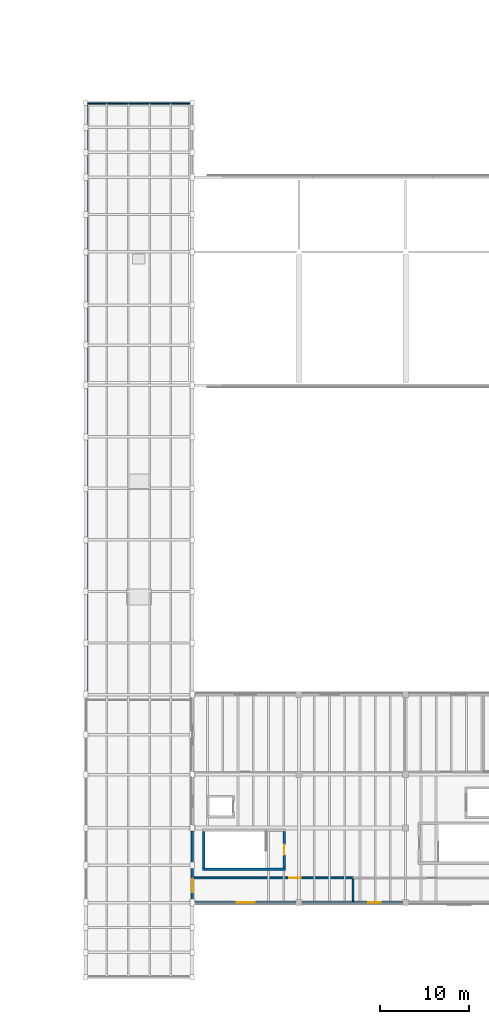
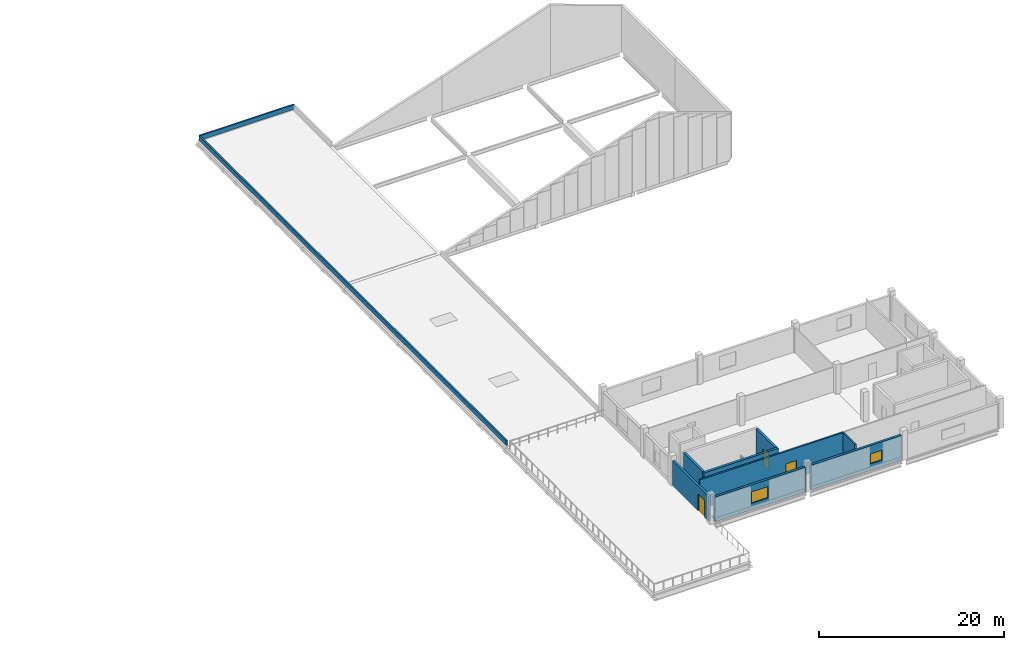
# One storey, part 10 of 19: 10 walls, 3 doors, 2 windows, 5 openings.
"""IFC4 building model written with IfcOpenShell, lengths in metres."""

import ifcopenshell
import ifcopenshell.guid

model = None  # the IFC model being written
_history = None  # IfcOwnerHistory: only IFC2X3 demands one
_inside = {}  # id of a spatial element -> (the spatial element, [elements in it])
_under = {}  # id of a project, library or spatial element -> (it, [spatial elements below it])
_declared = {}  # id of a project -> (the project, [libraries it declares])
_typed = {}  # id of a type object -> (the type object, [elements of that type])
_made_of = {}  # id of a material, layer set ... -> (it, [elements and type objects made of it])


def new_model(schema):
    """Start an empty IFC model of exactly this schema.

    Asked for "IFC4X3", IfcOpenShell would pick the latest addendum, in which some entities
    have other attributes; the version numbers below select the first issue.
    IFC2X3 requires an IfcOwnerHistory on every rooted entity: one is made here for all.
    """
    global model, _history
    if schema == "IFC4X3":
        model = ifcopenshell.file(schema_version=(4, 3, 0, 0))
    else:
        model = ifcopenshell.file(schema=schema)
    _inside.clear()
    _under.clear()
    _declared.clear()
    _typed.clear()
    _made_of.clear()
    _history = None
    if model.schema == "IFC2X3":
        org = make("IfcOrganization", Name="unknown")
        user = make(
            "IfcPersonAndOrganization",
            ThePerson=make("IfcPerson", FamilyName="unknown"),
            TheOrganization=org,
        )
        app = make(
            "IfcApplication",
            ApplicationDeveloper=org,
            Version="unknown",
            ApplicationFullName="unknown",
            ApplicationIdentifier="unknown",
        )
        _history = make(
            "IfcOwnerHistory",
            OwningUser=user,
            OwningApplication=app,
            ChangeAction="ADDED",
            CreationDate=0,
        )
    return model


def make(cls, **values):
    """One entity of the class cls with the attributes given. An attribute that is None is left unset."""
    return model.create_entity(
        cls, **{name: value for name, value in values.items() if value is not None}
    )


def rooted(cls, **values):
    """An entity with a GlobalId (a new one), such as an element, a storey or a relation."""
    return make(cls, GlobalId=ifcopenshell.guid.new(), OwnerHistory=_history, **values)


def si_unit(unit_type, name, prefix=None):
    """IfcSIUnit, for example si_unit("LENGTHUNIT", "METRE", prefix="MILLI")."""
    return make("IfcSIUnit", UnitType=unit_type, Prefix=prefix, Name=name)


def assignment(units):
    """IfcUnitAssignment: the units of a project."""
    return None if units is None else make("IfcUnitAssignment", Units=units)


def point(xyz):
    """IfcCartesianPoint."""
    return None if xyz is None else make("IfcCartesianPoint", Coordinates=xyz)


def direction(xyz):
    """IfcDirection."""
    return None if xyz is None else make("IfcDirection", DirectionRatios=xyz)


def frame(location, z_axis=None, x_axis=None):
    """IfcAxis2Placement3D, a coordinate frame: its origin and axes. An axis left out is left unset."""
    return make(
        "IfcAxis2Placement3D",
        Location=point(location),
        Axis=direction(z_axis),
        RefDirection=direction(x_axis),
    )


def frame_2d(location, x_axis=None):
    """IfcAxis2Placement2D, a coordinate frame in the plane: its origin and x axis."""
    return make(
        "IfcAxis2Placement2D", Location=point(location), RefDirection=direction(x_axis)
    )


def origin():
    """The frame at (0, 0, 0) with its axes left unset."""
    return frame((0.0, 0.0, 0.0))


def place(relative_to, where):
    """IfcLocalPlacement: puts the frame where relative to a parent placement (None: the world)."""
    return make(
        "IfcLocalPlacement", PlacementRelTo=relative_to, RelativePlacement=where
    )


def context(
    kind, dimensions, precision=None, world=None, true_north=None, identifier=None
):
    """IfcGeometricRepresentationContext, for example the 3D "Model" context."""
    return make(
        "IfcGeometricRepresentationContext",
        ContextIdentifier=identifier,
        ContextType=kind,
        CoordinateSpaceDimension=dimensions,
        Precision=precision,
        WorldCoordinateSystem=world,
        TrueNorth=true_north,
    )


def subcontext(parent, identifier, kind, view, scale=None):
    """IfcGeometricRepresentationSubContext, for example "Body" below "Model"."""
    return make(
        "IfcGeometricRepresentationSubContext",
        ContextIdentifier=identifier,
        ContextType=kind,
        ParentContext=parent,
        TargetScale=scale,
        TargetView=view,
    )


def project(units=None, contexts=None):
    """IfcProject with its units and contexts."""
    return rooted(
        "IfcProject",
        Name="project",
        RepresentationContexts=contexts,
        UnitsInContext=assignment(units),
    )


def spatial(cls, under=None, at=None, **own):
    """A site, building, storey or space (cls), placed at a placement, below another one or the project."""
    s = rooted(cls, ObjectPlacement=at, **own)
    if under is not None:
        _under.setdefault(under.id(), (under, []))[1].append(s)
    return s


def profile(cls, at=None, kind="AREA", **sizes):
    """A parametric profile (cls). Its sizes go by their IFC names, for example OverallWidth=200.0."""
    return make(cls, ProfileType=kind, Position=at, **sizes)


def rectangle(**sizes):
    """IfcRectangleProfileDef."""
    return profile("IfcRectangleProfileDef", **sizes)


def extrude(swept, where, along, depth):
    """IfcExtrudedAreaSolid: the profile swept, set in the frame where, extruded along a direction by depth."""
    return make(
        "IfcExtrudedAreaSolid",
        SweptArea=swept,
        Position=where,
        ExtrudedDirection=direction(along),
        Depth=depth,
    )


def shape(context_of_items, identifier, shape_type, items):
    """IfcShapeRepresentation: the items that make up one representation, for example the "Body"."""
    return make(
        "IfcShapeRepresentation",
        ContextOfItems=context_of_items,
        RepresentationIdentifier=identifier,
        RepresentationType=shape_type,
        Items=items,
    )


def material(Name=None, Category=None):
    """IfcMaterial."""
    return make("IfcMaterial", Name=Name, Category=Category)


def layer(
    of_material, thickness, ventilated=None, Name=None, Category=None, Priority=None
):
    """IfcMaterialLayer: one layer of a wall or slab, of a material (None: an air gap)."""
    return make(
        "IfcMaterialLayer",
        Material=of_material,
        LayerThickness=thickness,
        IsVentilated=ventilated,
        Name=Name,
        Category=Category,
        Priority=Priority,
    )


def layer_set(layers, Name=None):
    """IfcMaterialLayerSet."""
    return make("IfcMaterialLayerSet", MaterialLayers=layers, LayerSetName=Name)


def made_of(thing, what):
    """Note that an element or type object is made of a material, layer set ...; save() writes the relation."""
    if what is not None:
        _made_of.setdefault(what.id(), (what, []))[1].append(thing)
    return thing


def type_object(cls, material=None, **own):
    """A type object (cls), such as IfcWallType, which elements share."""
    return made_of(rooted(cls, **own), material)


def element(
    cls,
    number,
    at=None,
    inside=None,
    cuts=None,
    type_object=None,
    material=None,
    context=None,
    identifier="Body",
    shape_type=None,
    held_by="IfcProductDefinitionShape",
    body=None,
    shapes=None,
    **own,
):
    """One element of the class cls, such as IfcWall. Its Tag is "e" and its number.

    at: its placement. inside: the storey or other place that contains it. cuts: it is an
    opening in that element (IfcRelVoidsElement). A single representation is given by context,
    identifier, shape_type and body (its items); several are given by shapes. held_by: the class
    of the entity that holds the representations. save() writes the other relations.
    """
    e = rooted(cls, Tag="e%d" % number, ObjectPlacement=at, **own)
    if body is not None:
        shapes = [shape(context, identifier, shape_type, body)]
    if shapes is not None:
        e.Representation = make(held_by, Representations=shapes)
    if inside is not None:
        _inside.setdefault(inside.id(), (inside, []))[1].append(e)
    if cuts is not None:
        rooted(
            "IfcRelVoidsElement", RelatingBuildingElement=cuts, RelatedOpeningElement=e
        )
    if type_object is not None:
        _typed.setdefault(type_object.id(), (type_object, []))[1].append(e)
    return made_of(e, material)


def fill(opening, filler):
    """IfcRelFillsElement: the door or window that sits in an opening."""
    return rooted(
        "IfcRelFillsElement",
        RelatingOpeningElement=opening,
        RelatedBuildingElement=filler,
    )


def aggregate(whole, parts):
    """IfcRelAggregates: a whole, such as a stair, and the parts it consists of."""
    return rooted("IfcRelAggregates", RelatingObject=whole, RelatedObjects=parts)


def save(model, path):
    """Write the relations noted so far, then the file.

    IfcRelAggregates (storeys below a building ...), IfcRelContainedInSpatialStructure (elements
    in a storey), IfcRelDefinesByType, IfcRelAssociatesMaterial and IfcRelDeclares: one each for
    every whole, place, type object, material and project.
    """
    for whole, parts in _under.values():
        aggregate(whole, parts)
    for where, things in _inside.values():
        rooted(
            "IfcRelContainedInSpatialStructure",
            RelatedElements=things,
            RelatingStructure=where,
        )
    for kind, things in _typed.values():
        rooted("IfcRelDefinesByType", RelatedObjects=things, RelatingType=kind)
    for what, things in _made_of.values():
        rooted("IfcRelAssociatesMaterial", RelatedObjects=things, RelatingMaterial=what)
    for by, libraries in _declared.values():
        rooted("IfcRelDeclares", RelatingContext=by, RelatedDefinitions=libraries)
    model.write(path)


model = new_model("IFC4")

# Units and contexts
model_context = context("Model", 3, precision=1e-05, world=origin(), true_north=direction((0.0, 1.0)))
body_context = subcontext(model_context, "Body", "Model", "MODEL_VIEW")
ifc_project = project(units=[si_unit("LENGTHUNIT", "METRE"), si_unit("AREAUNIT", "SQUARE_METRE"), si_unit("VOLUMEUNIT", "CUBIC_METRE"), si_unit("PLANEANGLEUNIT", "RADIAN"), si_unit("MASSUNIT", "GRAM", prefix="KILO")], contexts=[model_context])

# Site, building, storey
site_placement = place(None, origin())
site = spatial("IfcSite", under=ifc_project, at=site_placement, CompositionType="ELEMENT")
building_placement = place(site_placement, origin())
building = spatial("IfcBuilding", under=site, at=building_placement, Name="Kelmvaro Bay Concert Hall", CompositionType="ELEMENT")
storey_placement = place(building_placement, frame((0.0, 0.0, 18.300048828125)))
storey = spatial("IfcBuildingStorey", under=building, at=storey_placement, Name="L04", CompositionType="ELEMENT", Elevation=18.300048828125)

# Walls
ifc_material_1 = material(Name="Precast Concrete C40/50", Category="concrete")
ifc_layer_1 = layer(ifc_material_1, 0.18994140625)
ifc_layer_set_1 = layer_set([ifc_layer_1], Name="Precast Concrete C40/50")
wall_type_1 = type_object("IfcWallType", Name="Canopy Edge Parapet Upstand 190", PredefinedType="PARAPET", material=ifc_layer_set_1)
wall_1_placement = place(storey_placement, frame((120.1201171875, 39.1201171875, 0.06005859375), z_axis=(0.0, 0.0, 1.0), x_axis=(0.0, 1.0, 0.0)))
element("IfcWall", 1, at=wall_1_placement, inside=storey, type_object=wall_type_1, Name="L04 Roof Parapet 11", PredefinedType="PARAPET", context=body_context, shape_type="SweptSolid", body=[
    extrude(rectangle(XDim=66.35986328125, YDim=0.18994140625, at=frame_2d((33.179931640625, 0.0))), origin(), (0.0, 0.0, 1.0), 0.599853515625),
])
wall_2_placement = place(storey_placement, frame((120.1201171875, 105.47998046875, 0.06005859375), z_axis=(0.0, 0.0, 1.0), x_axis=(1.0, 0.0, 0.0)))
element("IfcWall", 2, at=wall_2_placement, inside=storey, type_object=wall_type_1, Name="L04 Roof Parapet 12", PredefinedType="PARAPET", context=body_context, shape_type="SweptSolid", body=[
    extrude(rectangle(XDim=11.759765625, YDim=0.18994140625, at=frame_2d((5.8798828125, 0.0))), origin(), (0.0, 0.0, 1.0), 0.599853515625),
])

# Wall, opening, door
ifc_material_2 = material(Name="Acoustic Gypsum Board on Galvanised Steel Studs", Category="steel")
ifc_layer_2 = layer(ifc_material_2, 0.199951171875)
ifc_layer_set_2 = layer_set([ifc_layer_2], Name="Acoustic Gypsum Board on Galvanised Steel Studs")
wall_type_2 = type_object("IfcWallType", Name="Double-Stud Acoustic Studio Partition 200", PredefinedType="PARTITIONING", material=ifc_layer_set_2)
wall_3_placement = place(storey_placement, frame((132.14990234375, 18.3798828125, 0.0), z_axis=(0.0, 0.0, 1.0), x_axis=(1.0, 0.0, 0.0)))
wall_3 = element("IfcWall", 3, at=wall_3_placement, inside=storey, type_object=wall_type_2, Name="L04 Interior Partition PT-L04-0348", PredefinedType="PARTITIONING", context=body_context, shape_type="SweptSolid", body=[
    extrude(rectangle(XDim=17.93505859375, YDim=0.199951171875, at=frame_2d((8.967529296875, 0.0))), origin(), (0.0, 0.0, 1.0), 3.89990234375),
])
opening_1_placement = place(wall_3_placement, frame((10.748779296875, 0.0, 0.0)))
opening_1 = element("IfcOpeningElement", 4, at=opening_1_placement, cuts=wall_3, Name="Opening ID-ST3", PredefinedType="OPENING", context=body_context, shape_type="SweptSolid", body=[
    extrude(rectangle(XDim=1.280029296875, YDim=2.260009765625, at=frame_2d((0.64013671875, 1.1298828125))), frame((0.0, 0.10986328125, 0.0), z_axis=(0.0, -1.0, 0.0), x_axis=(1.0, 0.0, 0.0)), (0.0, 0.0, 1.0), 0.219970703125),
])
ifc_material_3 = material(Name="Acoustic Laminated Steel Core", Category="steel")
door_type_1 = type_object("IfcDoorType", Name="Soundtrack Studio Heavy Door 1280x2260", OperationType="NOTDEFINED", PredefinedType="DOOR", material=ifc_material_3)
door_1_placement = place(opening_1_placement, origin())
door_1 = element("IfcDoor", 5, at=door_1_placement, inside=storey, type_object=door_type_1, Name="L04 Interior Door DR-INT-L04-0202", OperationType="SINGLE_SWING_RIGHT", OverallHeight=2.260009765625, OverallWidth=1.280029296875, PredefinedType="DOOR", context=body_context, shape_type="SweptSolid", body=[
    extrude(rectangle(XDim=1.280029296875, YDim=2.260009765625, at=frame_2d((0.64013671875, 1.1298828125))), frame((0.0, 0.02490234375, 0.0), z_axis=(0.0, -1.0, 0.0), x_axis=(1.0, 0.0, 0.0)), (0.0, 0.0, 1.0), 0.050048828125),
])
fill(opening_1, door_1)

# Wall
wall_4_placement = place(storey_placement, frame((150.080078125, 15.75, 0.0), z_axis=(0.0, 0.0, 1.0), x_axis=(0.0, 1.0, 0.0)))
element("IfcWall", 6, at=wall_4_placement, inside=storey, type_object=wall_type_2, Name="L04 Interior Partition PT-L04-0354", PredefinedType="PARTITIONING", context=body_context, shape_type="SweptSolid", body=[
    extrude(rectangle(XDim=2.52001953125, YDim=0.199951171875, at=frame_2d((1.260009765625, 0.0))), origin(), (0.0, 0.0, 1.0), 3.89990234375),
])

# Wall, opening, window
ifc_material_4 = material(Name="Precast Concrete C40/50", Category="concrete")
ifc_layer_3 = layer(ifc_material_4, 0.280029296875)
ifc_layer_set_3 = layer_set([ifc_layer_3], Name="Precast Concrete C40/50")
wall_type_3 = type_object("IfcWallType", Name="Percussion Pavilion Precast Wall 280", PredefinedType="SOLIDWALL", material=ifc_layer_set_3)
wall_5_placement = place(storey_placement, frame((143.675048828125, 15.60009765625, 0.0), z_axis=(0.0, 0.0, 1.0), x_axis=(-1.0, 0.0, 0.0)))
wall_5 = element("IfcWall", 7, at=wall_5_placement, inside=storey, type_object=wall_type_3, Name="L04 Exterior Wall EW-L04-0241", PredefinedType="SOLIDWALL", context=body_context, shape_type="SweptSolid", body=[
    extrude(rectangle(XDim=11.35009765625, YDim=0.280029296875, at=frame_2d((5.675048828125, 0.0))), origin(), (0.0, 0.0, 1.0), 3.26904296875),
])
opening_2_placement = place(wall_5_placement, frame((4.64990234375, 0.0, 0.85009765625)))
opening_2 = element("IfcOpeningElement", 8, at=opening_2_placement, cuts=wall_5, Name="Opening WN-25", PredefinedType="OPENING", context=body_context, shape_type="SweptSolid", body=[
    extrude(rectangle(XDim=2.050048828125, YDim=1.5, at=frame_2d((1.02490234375, 0.75))), frame((0.0, 0.14990234375, 0.0), z_axis=(0.0, -1.0, 0.0), x_axis=(1.0, 0.0, 0.0)), (0.0, 0.0, 1.0), 0.300048828125),
])
ifc_material_5 = material(Name="Thermally Broken Aluminium and Acoustic Low-E Glass", Category="aluminium")
window_type_1 = type_object("IfcWindowType", Name="Crown Listening Window 2050x1500", PartitioningType="SINGLE_PANEL", PredefinedType="WINDOW", material=ifc_material_5)
window_1_placement = place(opening_2_placement, origin())
window_1 = element("IfcWindow", 9, at=window_1_placement, inside=storey, type_object=window_type_1, Name="L04 Facade Window WN-L04-0132", OverallHeight=1.5, OverallWidth=2.050048828125, PartitioningType="SINGLE_PANEL", PredefinedType="WINDOW", context=body_context, shape_type="SweptSolid", body=[
    extrude(rectangle(XDim=2.050048828125, YDim=1.5, at=frame_2d((1.02490234375, 0.75))), frame((0.0, 0.030029296875, 0.0), z_axis=(0.0, -1.0, 0.0), x_axis=(1.0, 0.0, 0.0)), (0.0, 0.0, 1.0), 0.06005859375),
])
fill(opening_2, window_1)

wall_6_placement = place(storey_placement, frame((155.675048828125, 15.60009765625, 0.0), z_axis=(0.0, 0.0, 1.0), x_axis=(-1.0, 0.0, 0.0)))
wall_6 = element("IfcWall", 10, at=wall_6_placement, inside=storey, type_object=wall_type_3, Name="L04 Exterior Wall EW-L04-0242", PredefinedType="SOLIDWALL", context=body_context, shape_type="SweptSolid", body=[
    extrude(rectangle(XDim=11.35009765625, YDim=0.280029296875, at=frame_2d((5.675048828125, 0.0))), origin(), (0.0, 0.0, 1.0), 3.26904296875),
])
opening_3_placement = place(wall_6_placement, frame((2.47802734375, 0.0, 0.85009765625)))
opening_3 = element("IfcOpeningElement", 11, at=opening_3_placement, cuts=wall_6, Name="Opening WN-26", PredefinedType="OPENING", context=body_context, shape_type="SweptSolid", body=[
    extrude(rectangle(XDim=1.39990234375, YDim=1.300048828125, at=frame_2d((0.699951171875, 0.64990234375))), frame((0.0, 0.14990234375, 0.0), z_axis=(0.0, -1.0, 0.0), x_axis=(1.0, 0.0, 0.0)), (0.0, 0.0, 1.0), 0.300048828125),
])
ifc_material_6 = material(Name="Thermally Broken Aluminium and Acoustic Low-E Glass", Category="aluminium")
window_type_2 = type_object("IfcWindowType", Name="Backstage Corridor Lite Window 1400x1300", PartitioningType="SINGLE_PANEL", PredefinedType="WINDOW", material=ifc_material_6)
window_2_placement = place(opening_3_placement, origin())
window_2 = element("IfcWindow", 12, at=window_2_placement, inside=storey, type_object=window_type_2, Name="L04 Facade Window WN-L04-0133", OverallHeight=1.300048828125, OverallWidth=1.39990234375, PartitioningType="SINGLE_PANEL", PredefinedType="WINDOW", context=body_context, shape_type="SweptSolid", body=[
    extrude(rectangle(XDim=1.39990234375, YDim=1.300048828125, at=frame_2d((0.699951171875, 0.64990234375))), frame((0.0, 0.030029296875, 0.0), z_axis=(0.0, -1.0, 0.0), x_axis=(1.0, 0.0, 0.0)), (0.0, 0.0, 1.0), 0.06005859375),
])
fill(opening_3, window_2)

# Wall, opening, door
wall_7_placement = place(storey_placement, frame((132.0, 15.925048828125, 0.0), z_axis=(0.0, 0.0, 1.0), x_axis=(0.0, 1.0, 0.0)))
wall_7 = element("IfcWall", 13, at=wall_7_placement, inside=storey, type_object=wall_type_3, Name="L04 Exterior Wall EW-L04-0248", PredefinedType="SOLIDWALL", context=body_context, shape_type="SweptSolid", body=[
    extrude(rectangle(XDim=7.75, YDim=0.280029296875, at=frame_2d((3.875, 0.0))), origin(), (0.0, 0.0, 1.0), 3.26806640625),
])
opening_4_placement = place(wall_7_placement, frame((0.824951171875, 0.0, 0.0)))
opening_4 = element("IfcOpeningElement", 14, at=opening_4_placement, cuts=wall_7, Name="Opening ED-145", PredefinedType="OPENING", context=body_context, shape_type="SweptSolid", body=[
    extrude(rectangle(XDim=1.449951171875, YDim=2.25, at=frame_2d((0.72509765625, 1.125))), frame((0.0, 0.14990234375, 0.0), z_axis=(0.0, -1.0, 0.0), x_axis=(1.0, 0.0, 0.0)), (0.0, 0.0, 1.0), 0.300048828125),
])
ifc_material_7 = material(Name="Thermally Broken Aluminium and Laminated Safety Glass", Category="aluminium")
door_type_2 = type_object("IfcDoorType", Name="Sky Salon Terrace Glazed Door 1450x2250", OperationType="NOTDEFINED", PredefinedType="DOOR", material=ifc_material_7)
door_2_placement = place(opening_4_placement, origin())
door_2 = element("IfcDoor", 15, at=door_2_placement, inside=storey, type_object=door_type_2, Name="L04 Exterior Door DR-EXT-L04-019", OperationType="DOUBLE_DOOR_SINGLE_SWING", OverallHeight=2.25, OverallWidth=1.449951171875, PredefinedType="DOOR", context=body_context, shape_type="SweptSolid", body=[
    extrude(rectangle(XDim=1.449951171875, YDim=2.25, at=frame_2d((0.72509765625, 1.125))), frame((0.0, 0.02490234375, 0.0), z_axis=(0.0, -1.0, 0.0), x_axis=(1.0, 0.0, 0.0)), (0.0, 0.0, 1.0), 0.050048828125),
])
fill(opening_4, door_2)

# Walls
ifc_material_8 = material(Name="Concrete C40/50", Category="concrete")
ifc_layer_4 = layer(ifc_material_8, 0.2900390625)
ifc_layer_set_4 = layer_set([ifc_layer_4], Name="Concrete C40/50")
wall_type_4 = type_object("IfcWallType", Name="Stair and Lift Core Shear Wall 290", PredefinedType="SHEAR", material=ifc_layer_set_4)
wall_8_placement = place(storey_placement, frame((133.159912109375, 19.344970703125, 0.0), z_axis=(0.0, 0.0, 1.0), x_axis=(1.0, 0.0, 0.0)))
element("IfcWall", 16, at=wall_8_placement, inside=storey, type_object=wall_type_4, Name="L04 ST-05 Core Shear Wall S", PredefinedType="SHEAR", context=body_context, shape_type="SweptSolid", body=[
    extrude(rectangle(XDim=9.330078125, YDim=0.2900390625, at=frame_2d((4.6650390625, 0.0))), origin(), (0.0, 0.0, 1.0), 3.89990234375),
])
wall_9_placement = place(storey_placement, frame((133.304931640625, 19.489990234375, 0.0), z_axis=(0.0, 0.0, 1.0), x_axis=(0.0, 1.0, 0.0)))
element("IfcWall", 17, at=wall_9_placement, inside=storey, type_object=wall_type_4, Name="L04 ST-05 Core Shear Wall W", PredefinedType="SHEAR", context=body_context, shape_type="SweptSolid", body=[
    extrude(rectangle(XDim=4.110107421875, YDim=0.2900390625, at=frame_2d((2.05517578125, 0.0))), origin(), (0.0, 0.0, 1.0), 3.89990234375),
])

# Wall, opening, door
wall_10_placement = place(storey_placement, frame((142.344970703125, 19.489990234375, 0.0), z_axis=(0.0, 0.0, 1.0), x_axis=(0.0, 1.0, 0.0)))
wall_10 = element("IfcWall", 18, at=wall_10_placement, inside=storey, type_object=wall_type_4, Name="L04 ST-05 Core Shear Wall E", PredefinedType="SHEAR", context=body_context, shape_type="SweptSolid", body=[
    extrude(rectangle(XDim=4.110107421875, YDim=0.2900390625, at=frame_2d((2.05517578125, 0.0))), origin(), (0.0, 0.0, 1.0), 3.89990234375),
])
opening_5_placement = place(wall_10_placement, frame((1.47998046875, 0.0, 0.0)))
opening_5 = element("IfcOpeningElement", 19, at=opening_5_placement, cuts=wall_10, Name="Opening ID-ST1", PredefinedType="OPENING", context=body_context, shape_type="SweptSolid", body=[
    extrude(rectangle(XDim=1.14990234375, YDim=2.14990234375, at=frame_2d((0.574951171875, 1.074951171875))), frame((0.0, 0.155029296875, 0.0), z_axis=(0.0, -1.0, 0.0), x_axis=(1.0, 0.0, 0.0)), (0.0, 0.0, 1.0), 0.31005859375),
])
ifc_material_9 = material(Name="Fire-Rated Galvanised Steel", Category="steel")
door_type_3 = type_object("IfcDoorType", Name="Exit Stair Fire Door 1150x2150", OperationType="NOTDEFINED", PredefinedType="DOOR", material=ifc_material_9)
door_3_placement = place(opening_5_placement, origin())
door_3 = element("IfcDoor", 20, at=door_3_placement, inside=storey, type_object=door_type_3, Name="L04 ST-05 Stair Fire Door", OperationType="SINGLE_SWING_RIGHT", OverallHeight=2.14990234375, OverallWidth=1.14990234375, PredefinedType="DOOR", context=body_context, shape_type="SweptSolid", body=[
    extrude(rectangle(XDim=1.14990234375, YDim=2.14990234375, at=frame_2d((0.574951171875, 1.074951171875))), frame((0.0, 0.02490234375, 0.0), z_axis=(0.0, -1.0, 0.0), x_axis=(1.0, 0.0, 0.0)), (0.0, 0.0, 1.0), 0.050048828125),
])
fill(opening_5, door_3)

save(model, "model.ifc")
